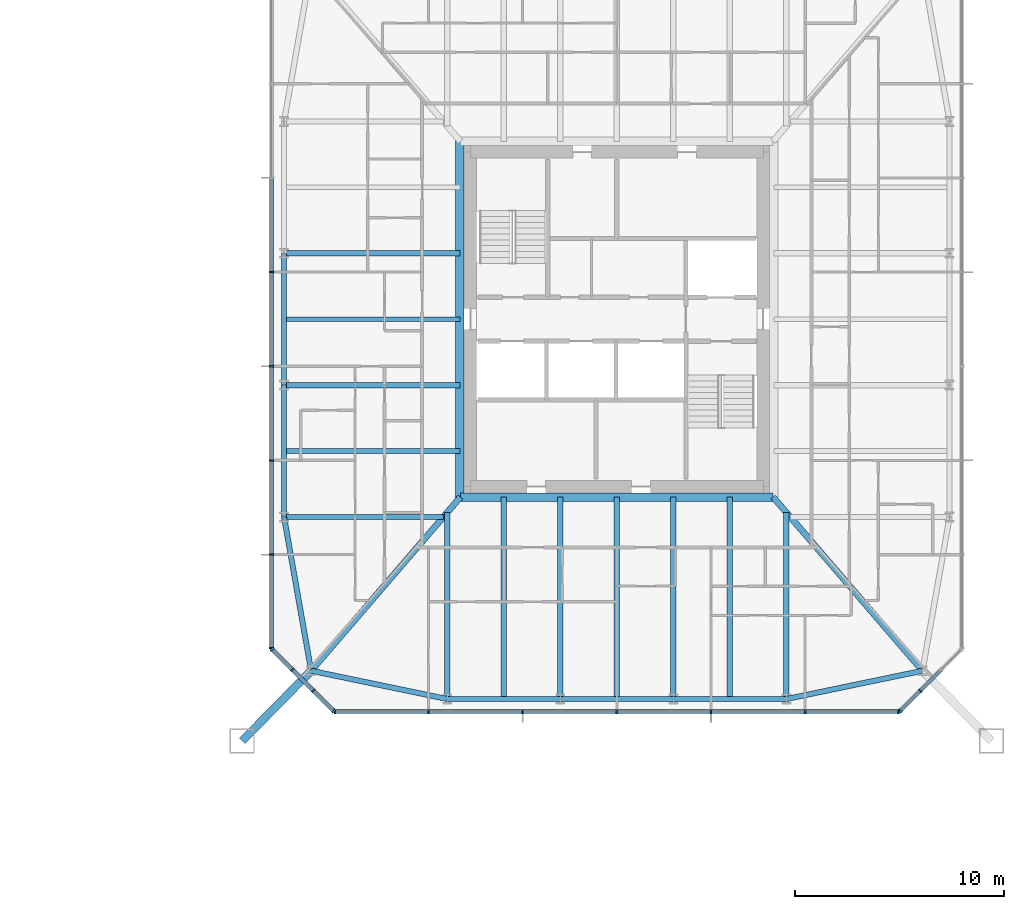
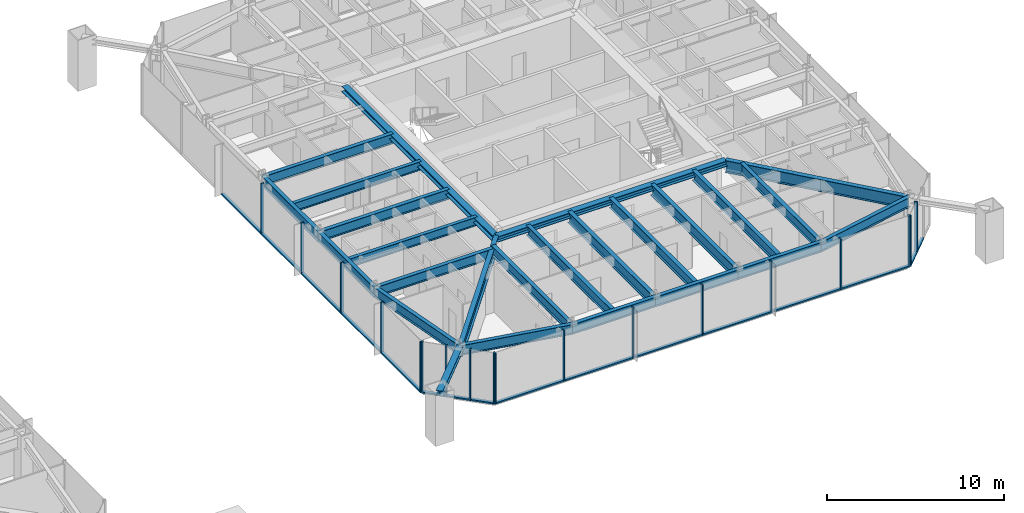
# One storey, part 8 of 26: 35 members, 24 beams, 4 elements without a shape of their own.
"""IFC4 building model written with IfcOpenShell, lengths in metres."""

import ifcopenshell
import ifcopenshell.guid

model = None  # the IFC model being written
_history = None  # IfcOwnerHistory: only IFC2X3 demands one
_inside = {}  # id of a spatial element -> (the spatial element, [elements in it])
_under = {}  # id of a project, library or spatial element -> (it, [spatial elements below it])
_declared = {}  # id of a project -> (the project, [libraries it declares])
_typed = {}  # id of a type object -> (the type object, [elements of that type])
_made_of = {}  # id of a material, layer set ... -> (it, [elements and type objects made of it])


def new_model(schema):
    """Start an empty IFC model of exactly this schema.

    Asked for "IFC4X3", IfcOpenShell would pick the latest addendum, in which some entities
    have other attributes; the version numbers below select the first issue.
    IFC2X3 requires an IfcOwnerHistory on every rooted entity: one is made here for all.
    """
    global model, _history
    if schema == "IFC4X3":
        model = ifcopenshell.file(schema_version=(4, 3, 0, 0))
    else:
        model = ifcopenshell.file(schema=schema)
    _inside.clear()
    _under.clear()
    _declared.clear()
    _typed.clear()
    _made_of.clear()
    _history = None
    if model.schema == "IFC2X3":
        org = make("IfcOrganization", Name="unknown")
        user = make(
            "IfcPersonAndOrganization",
            ThePerson=make("IfcPerson", FamilyName="unknown"),
            TheOrganization=org,
        )
        app = make(
            "IfcApplication",
            ApplicationDeveloper=org,
            Version="unknown",
            ApplicationFullName="unknown",
            ApplicationIdentifier="unknown",
        )
        _history = make(
            "IfcOwnerHistory",
            OwningUser=user,
            OwningApplication=app,
            ChangeAction="ADDED",
            CreationDate=0,
        )
    return model


def make(cls, **values):
    """One entity of the class cls with the attributes given. An attribute that is None is left unset."""
    return model.create_entity(
        cls, **{name: value for name, value in values.items() if value is not None}
    )


def rooted(cls, **values):
    """An entity with a GlobalId (a new one), such as an element, a storey or a relation."""
    return make(cls, GlobalId=ifcopenshell.guid.new(), OwnerHistory=_history, **values)


def si_unit(unit_type, name, prefix=None):
    """IfcSIUnit, for example si_unit("LENGTHUNIT", "METRE", prefix="MILLI")."""
    return make("IfcSIUnit", UnitType=unit_type, Prefix=prefix, Name=name)


def assignment(units):
    """IfcUnitAssignment: the units of a project."""
    return None if units is None else make("IfcUnitAssignment", Units=units)


def point(xyz):
    """IfcCartesianPoint."""
    return None if xyz is None else make("IfcCartesianPoint", Coordinates=xyz)


def direction(xyz):
    """IfcDirection."""
    return None if xyz is None else make("IfcDirection", DirectionRatios=xyz)


def frame(location, z_axis=None, x_axis=None):
    """IfcAxis2Placement3D, a coordinate frame: its origin and axes. An axis left out is left unset."""
    return make(
        "IfcAxis2Placement3D",
        Location=point(location),
        Axis=direction(z_axis),
        RefDirection=direction(x_axis),
    )


def frame_2d(location, x_axis=None):
    """IfcAxis2Placement2D, a coordinate frame in the plane: its origin and x axis."""
    return make(
        "IfcAxis2Placement2D", Location=point(location), RefDirection=direction(x_axis)
    )


def origin():
    """The frame at (0, 0, 0) with its axes left unset."""
    return frame((0.0, 0.0, 0.0))


def origin_2d():
    """The frame at (0, 0) in the plane with its x axis left unset."""
    return frame_2d((0.0, 0.0))


def place(relative_to, where):
    """IfcLocalPlacement: puts the frame where relative to a parent placement (None: the world)."""
    return make(
        "IfcLocalPlacement", PlacementRelTo=relative_to, RelativePlacement=where
    )


def context(
    kind, dimensions, precision=None, world=None, true_north=None, identifier=None
):
    """IfcGeometricRepresentationContext, for example the 3D "Model" context."""
    return make(
        "IfcGeometricRepresentationContext",
        ContextIdentifier=identifier,
        ContextType=kind,
        CoordinateSpaceDimension=dimensions,
        Precision=precision,
        WorldCoordinateSystem=world,
        TrueNorth=true_north,
    )


def subcontext(parent, identifier, kind, view, scale=None):
    """IfcGeometricRepresentationSubContext, for example "Body" below "Model"."""
    return make(
        "IfcGeometricRepresentationSubContext",
        ContextIdentifier=identifier,
        ContextType=kind,
        ParentContext=parent,
        TargetScale=scale,
        TargetView=view,
    )


def project(units=None, contexts=None):
    """IfcProject with its units and contexts."""
    return rooted(
        "IfcProject",
        Name="project",
        RepresentationContexts=contexts,
        UnitsInContext=assignment(units),
    )


def spatial(cls, under=None, at=None, **own):
    """A site, building, storey or space (cls), placed at a placement, below another one or the project."""
    s = rooted(cls, ObjectPlacement=at, **own)
    if under is not None:
        _under.setdefault(under.id(), (under, []))[1].append(s)
    return s


def profile(cls, at=None, kind="AREA", **sizes):
    """A parametric profile (cls). Its sizes go by their IFC names, for example OverallWidth=200.0."""
    return make(cls, ProfileType=kind, Position=at, **sizes)


def rectangle(**sizes):
    """IfcRectangleProfileDef."""
    return profile("IfcRectangleProfileDef", **sizes)


def i_section(**sizes):
    """IfcIShapeProfileDef."""
    return profile("IfcIShapeProfileDef", **sizes)


def extrude(swept, where, along, depth):
    """IfcExtrudedAreaSolid: the profile swept, set in the frame where, extruded along a direction by depth."""
    return make(
        "IfcExtrudedAreaSolid",
        SweptArea=swept,
        Position=where,
        ExtrudedDirection=direction(along),
        Depth=depth,
    )


def shape(context_of_items, identifier, shape_type, items):
    """IfcShapeRepresentation: the items that make up one representation, for example the "Body"."""
    return make(
        "IfcShapeRepresentation",
        ContextOfItems=context_of_items,
        RepresentationIdentifier=identifier,
        RepresentationType=shape_type,
        Items=items,
    )


def material(Name=None, Category=None):
    """IfcMaterial."""
    return make("IfcMaterial", Name=Name, Category=Category)


def material_profile(
    of_material, cross_section, Name=None, Category=None, Priority=None
):
    """IfcMaterialProfile: a cross section and its material."""
    return make(
        "IfcMaterialProfile",
        Name=Name,
        Material=of_material,
        Profile=cross_section,
        Priority=Priority,
        Category=Category,
    )


def profile_set(profiles, Name=None, composite=None):
    """IfcMaterialProfileSet."""
    return make(
        "IfcMaterialProfileSet",
        Name=Name,
        MaterialProfiles=profiles,
        CompositeProfile=composite,
    )


def made_of(thing, what):
    """Note that an element or type object is made of a material, layer set ...; save() writes the relation."""
    if what is not None:
        _made_of.setdefault(what.id(), (what, []))[1].append(thing)
    return thing


def type_object(cls, material=None, **own):
    """A type object (cls), such as IfcWallType, which elements share."""
    return made_of(rooted(cls, **own), material)


def element(
    cls,
    number,
    at=None,
    inside=None,
    cuts=None,
    type_object=None,
    material=None,
    context=None,
    identifier="Body",
    shape_type=None,
    held_by="IfcProductDefinitionShape",
    body=None,
    shapes=None,
    **own,
):
    """One element of the class cls, such as IfcWall. Its Tag is "e" and its number.

    at: its placement. inside: the storey or other place that contains it. cuts: it is an
    opening in that element (IfcRelVoidsElement). A single representation is given by context,
    identifier, shape_type and body (its items); several are given by shapes. held_by: the class
    of the entity that holds the representations. save() writes the other relations.
    """
    e = rooted(cls, Tag="e%d" % number, ObjectPlacement=at, **own)
    if body is not None:
        shapes = [shape(context, identifier, shape_type, body)]
    if shapes is not None:
        e.Representation = make(held_by, Representations=shapes)
    if inside is not None:
        _inside.setdefault(inside.id(), (inside, []))[1].append(e)
    if cuts is not None:
        rooted(
            "IfcRelVoidsElement", RelatingBuildingElement=cuts, RelatedOpeningElement=e
        )
    if type_object is not None:
        _typed.setdefault(type_object.id(), (type_object, []))[1].append(e)
    return made_of(e, material)


def aggregate(whole, parts):
    """IfcRelAggregates: a whole, such as a stair, and the parts it consists of."""
    return rooted("IfcRelAggregates", RelatingObject=whole, RelatedObjects=parts)


def save(model, path):
    """Write the relations noted so far, then the file.

    IfcRelAggregates (storeys below a building ...), IfcRelContainedInSpatialStructure (elements
    in a storey), IfcRelDefinesByType, IfcRelAssociatesMaterial and IfcRelDeclares: one each for
    every whole, place, type object, material and project.
    """
    for whole, parts in _under.values():
        aggregate(whole, parts)
    for where, things in _inside.values():
        rooted(
            "IfcRelContainedInSpatialStructure",
            RelatedElements=things,
            RelatingStructure=where,
        )
    for kind, things in _typed.values():
        rooted("IfcRelDefinesByType", RelatedObjects=things, RelatingType=kind)
    for what, things in _made_of.values():
        rooted("IfcRelAssociatesMaterial", RelatedObjects=things, RelatingMaterial=what)
    for by, libraries in _declared.values():
        rooted("IfcRelDeclares", RelatingContext=by, RelatedDefinitions=libraries)
    model.write(path)


model = new_model("IFC4")

# Units and contexts
model_context = context("Model", 3, precision=1e-05, world=origin(), true_north=direction((0.0, 1.0)))
body_context = subcontext(model_context, "Body", "Model", "MODEL_VIEW")
ifc_project = project(units=[si_unit("LENGTHUNIT", "METRE"), si_unit("AREAUNIT", "SQUARE_METRE"), si_unit("VOLUMEUNIT", "CUBIC_METRE"), si_unit("PLANEANGLEUNIT", "RADIAN"), si_unit("MASSUNIT", "GRAM", prefix="KILO")], contexts=[model_context])

# Site, building, storey
site_placement = place(None, origin())
site = spatial("IfcSite", under=ifc_project, at=site_placement, CompositionType="ELEMENT")
building_placement = place(site_placement, origin())
building = spatial("IfcBuilding", under=site, at=building_placement, Name="Iwan Alto Co-Living Towers", CompositionType="ELEMENT")
storey_placement = place(building_placement, frame((0.0, 0.0, 57.0)))
storey = spatial("IfcBuildingStorey", under=building, at=storey_placement, Name="L15", CompositionType="ELEMENT", Elevation=57.0)

# Curtain wall, members
ifc_material_1 = material(Name="Bronze aluminium unitised frame", Category="aluminium")
curtain_wall_type_1 = type_object("IfcCurtainWallType", Name="CURTAIN WALL CW-C", PredefinedType="NOTDEFINED", material=ifc_material_1)
curtain_wall_1_placement = place(storey_placement, origin())
curtain_wall_1 = element("IfcCurtainWall", 1, at=curtain_wall_1_placement, inside=storey, type_object=curtain_wall_type_1, Name="T2 curtain wall S L15", PredefinedType="NOTDEFINED")
ifc_material_2 = material(Name="Aluminium 6063-T6 bronze anodised", Category="aluminium")
ifc_material_profile_1 = material_profile(ifc_material_2, rectangle(XDim=0.199951171875, YDim=0.080078125, at=origin_2d()), Name="AL 80X200")
ifc_profile_set_1 = profile_set([ifc_material_profile_1], Name="Aluminium 6063-T6 bronze anodised")
member_type_1 = type_object("IfcMemberType", Name="CW-C MULLION 80X200", PredefinedType="MULLION", material=ifc_profile_set_1)
member_1_placement = place(storey_placement, frame((49.5400390625, -18.75, 0.0), z_axis=(0.0, 0.0, 1.0), x_axis=(0.0, 1.0, 0.0)))
member_1 = element("IfcMember", 2, at=member_1_placement, type_object=member_type_1, Name="CW-C mullion 1", PredefinedType="MULLION", context=body_context, shape_type="SweptSolid", body=[
    extrude(rectangle(XDim=0.199951171875, YDim=0.080078125, at=origin_2d()), origin(), (0.0, 0.0, 1.0), 3.5),
])
member_2_placement = place(storey_placement, frame((54.0, -18.75, 0.0), z_axis=(0.0, 0.0, 1.0), x_axis=(0.0, 1.0, 0.0)))
member_2 = element("IfcMember", 3, at=member_2_placement, type_object=member_type_1, Name="CW-C mullion 2", PredefinedType="MULLION", context=body_context, shape_type="SweptSolid", body=[
    extrude(rectangle(XDim=0.199951171875, YDim=0.080078125, at=origin_2d()), origin(), (0.0, 0.0, 1.0), 3.5),
])
member_3_placement = place(storey_placement, frame((58.5, -18.75, 0.0), z_axis=(0.0, 0.0, 1.0), x_axis=(0.0, 1.0, 0.0)))
member_3 = element("IfcMember", 4, at=member_3_placement, type_object=member_type_1, Name="CW-C mullion 3", PredefinedType="MULLION", context=body_context, shape_type="SweptSolid", body=[
    extrude(rectangle(XDim=0.199951171875, YDim=0.080078125, at=origin_2d()), origin(), (0.0, 0.0, 1.0), 3.5),
])
member_4_placement = place(storey_placement, frame((63.0, -18.75, 0.0), z_axis=(0.0, 0.0, 1.0), x_axis=(0.0, 1.0, 0.0)))
member_4 = element("IfcMember", 5, at=member_4_placement, type_object=member_type_1, Name="CW-C mullion 4", PredefinedType="MULLION", context=body_context, shape_type="SweptSolid", body=[
    extrude(rectangle(XDim=0.199951171875, YDim=0.080078125, at=origin_2d()), origin(), (0.0, 0.0, 1.0), 3.5),
])
member_5_placement = place(storey_placement, frame((67.5, -18.75, 0.0), z_axis=(0.0, 0.0, 1.0), x_axis=(0.0, 1.0, 0.0)))
member_5 = element("IfcMember", 6, at=member_5_placement, type_object=member_type_1, Name="CW-C mullion 5", PredefinedType="MULLION", context=body_context, shape_type="SweptSolid", body=[
    extrude(rectangle(XDim=0.199951171875, YDim=0.080078125, at=origin_2d()), origin(), (0.0, 0.0, 1.0), 3.5),
])
member_6_placement = place(storey_placement, frame((72.0, -18.75, 0.0), z_axis=(0.0, 0.0, 1.0), x_axis=(0.0, 1.0, 0.0)))
member_6 = element("IfcMember", 7, at=member_6_placement, type_object=member_type_1, Name="CW-C mullion 6", PredefinedType="MULLION", context=body_context, shape_type="SweptSolid", body=[
    extrude(rectangle(XDim=0.199951171875, YDim=0.080078125, at=origin_2d()), origin(), (0.0, 0.0, 1.0), 3.5),
])
member_7_placement = place(storey_placement, frame((76.4599609375, -18.75, 0.0), z_axis=(0.0, 0.0, 1.0), x_axis=(0.0, 1.0, 0.0)))
member_7 = element("IfcMember", 8, at=member_7_placement, type_object=member_type_1, Name="CW-C mullion 7", PredefinedType="MULLION", context=body_context, shape_type="SweptSolid", body=[
    extrude(rectangle(XDim=0.199951171875, YDim=0.080078125, at=origin_2d()), origin(), (0.0, 0.0, 1.0), 3.5),
])

curtain_wall_2_placement = place(storey_placement, origin())
curtain_wall_2 = element("IfcCurtainWall", 9, at=curtain_wall_2_placement, inside=storey, type_object=curtain_wall_type_1, Name="T2 curtain wall W L15", PredefinedType="NOTDEFINED")
member_8_placement = place(storey_placement, frame((46.5, 2.25, 0.0), z_axis=(0.0, 0.0, 1.0), x_axis=(1.0, 0.0, 0.0)))
member_8 = element("IfcMember", 10, at=member_8_placement, type_object=member_type_1, Name="CW-C mullion 4", PredefinedType="MULLION", context=body_context, shape_type="SweptSolid", body=[
    extrude(rectangle(XDim=0.199951171875, YDim=0.080078125, at=origin_2d()), origin(), (0.0, 0.0, 1.0), 3.5),
])
member_9_placement = place(storey_placement, frame((46.5, -2.25, 0.0), z_axis=(0.0, 0.0, 1.0), x_axis=(1.0, 0.0, 0.0)))
member_9 = element("IfcMember", 11, at=member_9_placement, type_object=member_type_1, Name="CW-C mullion 5", PredefinedType="MULLION", context=body_context, shape_type="SweptSolid", body=[
    extrude(rectangle(XDim=0.199951171875, YDim=0.080078125, at=origin_2d()), origin(), (0.0, 0.0, 1.0), 3.5),
])
member_10_placement = place(storey_placement, frame((46.5, -6.75, 0.0), z_axis=(0.0, 0.0, 1.0), x_axis=(1.0, 0.0, 0.0)))
member_10 = element("IfcMember", 12, at=member_10_placement, type_object=member_type_1, Name="CW-C mullion 6", PredefinedType="MULLION", context=body_context, shape_type="SweptSolid", body=[
    extrude(rectangle(XDim=0.199951171875, YDim=0.080078125, at=origin_2d()), origin(), (0.0, 0.0, 1.0), 3.5),
])
member_11_placement = place(storey_placement, frame((46.5, -11.25, 0.0), z_axis=(0.0, 0.0, 1.0), x_axis=(1.0, 0.0, 0.0)))
member_11 = element("IfcMember", 13, at=member_11_placement, type_object=member_type_1, Name="CW-C mullion 7", PredefinedType="MULLION", context=body_context, shape_type="SweptSolid", body=[
    extrude(rectangle(XDim=0.199951171875, YDim=0.080078125, at=origin_2d()), origin(), (0.0, 0.0, 1.0), 3.5),
])
member_12_placement = place(storey_placement, frame((46.5, -15.7099609375, 0.0), z_axis=(0.0, 0.0, 1.0), x_axis=(1.0, 0.0, 0.0)))
member_12 = element("IfcMember", 14, at=member_12_placement, type_object=member_type_1, Name="CW-C mullion 8", PredefinedType="MULLION", context=body_context, shape_type="SweptSolid", body=[
    extrude(rectangle(XDim=0.199951171875, YDim=0.080078125, at=origin_2d()), origin(), (0.0, 0.0, 1.0), 3.5),
])

# Member
ifc_material_3 = material(Name="Aluminium 6063-T6 bronze anodised", Category="aluminium")
ifc_material_profile_2 = material_profile(ifc_material_3, rectangle(XDim=0.199951171875, YDim=0.10009765625, at=origin_2d()), Name="AL 200X100")
ifc_profile_set_2 = profile_set([ifc_material_profile_2], Name="Aluminium 6063-T6 bronze anodised")
member_type_2 = type_object("IfcMemberType", Name="CW-C TRANSOM 200X100", PredefinedType="USERDEFINED", material=ifc_profile_set_2)
member_13_placement = place(storey_placement, frame((49.580078125, -18.75, 0.050048828125), z_axis=(1.0, 0.0, 0.0), x_axis=(0.0, 1.0, 0.0)))
member_13 = element("IfcMember", 15, at=member_13_placement, type_object=member_type_2, Name="CW-C transom 1.1", ObjectType="TRANSOM", PredefinedType="USERDEFINED", context=body_context, shape_type="SweptSolid", body=[
    extrude(rectangle(XDim=0.199951171875, YDim=0.10009765625, at=origin_2d()), origin(), (0.0, 0.0, 1.0), 4.3798828125),
])

member_14_placement = place(storey_placement, frame((54.0400390625, -18.75, 0.050048828125), z_axis=(1.0, 0.0, 0.0), x_axis=(0.0, 1.0, 0.0)))
member_14 = element("IfcMember", 16, at=member_14_placement, type_object=member_type_2, Name="CW-C transom 2.1", ObjectType="TRANSOM", PredefinedType="USERDEFINED", context=body_context, shape_type="SweptSolid", body=[
    extrude(rectangle(XDim=0.199951171875, YDim=0.10009765625, at=origin_2d()), origin(), (0.0, 0.0, 1.0), 4.419921875),
])

member_15_placement = place(storey_placement, frame((58.5400390625, -18.75, 0.050048828125), z_axis=(1.0, 0.0, 0.0), x_axis=(0.0, 1.0, 0.0)))
member_15 = element("IfcMember", 17, at=member_15_placement, type_object=member_type_2, Name="CW-C transom 3.1", ObjectType="TRANSOM", PredefinedType="USERDEFINED", context=body_context, shape_type="SweptSolid", body=[
    extrude(rectangle(XDim=0.199951171875, YDim=0.10009765625, at=origin_2d()), origin(), (0.0, 0.0, 1.0), 4.419921875),
])

member_16_placement = place(storey_placement, frame((63.0400390625, -18.75, 0.050048828125), z_axis=(1.0, 0.0, 0.0), x_axis=(0.0, 1.0, 0.0)))
member_16 = element("IfcMember", 18, at=member_16_placement, type_object=member_type_2, Name="CW-C transom 4.1", ObjectType="TRANSOM", PredefinedType="USERDEFINED", context=body_context, shape_type="SweptSolid", body=[
    extrude(rectangle(XDim=0.199951171875, YDim=0.10009765625, at=origin_2d()), origin(), (0.0, 0.0, 1.0), 4.419921875),
])

member_17_placement = place(storey_placement, frame((67.5400390625, -18.75, 0.050048828125), z_axis=(1.0, 0.0, 0.0), x_axis=(0.0, 1.0, 0.0)))
member_17 = element("IfcMember", 19, at=member_17_placement, type_object=member_type_2, Name="CW-C transom 5.1", ObjectType="TRANSOM", PredefinedType="USERDEFINED", context=body_context, shape_type="SweptSolid", body=[
    extrude(rectangle(XDim=0.199951171875, YDim=0.10009765625, at=origin_2d()), origin(), (0.0, 0.0, 1.0), 4.419921875),
])

member_18_placement = place(storey_placement, frame((72.0400390625, -18.75, 0.050048828125), z_axis=(1.0, 0.0, 0.0), x_axis=(0.0, 1.0, 0.0)))
member_18 = element("IfcMember", 20, at=member_18_placement, type_object=member_type_2, Name="CW-C transom 6.1", ObjectType="TRANSOM", PredefinedType="USERDEFINED", context=body_context, shape_type="SweptSolid", body=[
    extrude(rectangle(XDim=0.199951171875, YDim=0.10009765625, at=origin_2d()), origin(), (0.0, 0.0, 1.0), 4.3798828125),
])

aggregate(curtain_wall_1, [member_1, member_2, member_3, member_4, member_5, member_6, member_7, member_13, member_14, member_15, member_16, member_17, member_18])

member_19_placement = place(storey_placement, frame((46.5, 6.7099609375, 0.050048828125), z_axis=(0.0, -1.0, 0.0), x_axis=(1.0, 0.0, 0.0)))
member_19 = element("IfcMember", 21, at=member_19_placement, type_object=member_type_2, Name="CW-C transom 3.1", ObjectType="TRANSOM", PredefinedType="USERDEFINED", context=body_context, shape_type="SweptSolid", body=[
    extrude(rectangle(XDim=0.199951171875, YDim=0.10009765625, at=origin_2d()), origin(), (0.0, 0.0, 1.0), 4.419921875),
])

member_20_placement = place(storey_placement, frame((46.5, 2.2099609375, 0.050048828125), z_axis=(0.0, -1.0, 0.0), x_axis=(1.0, 0.0, 0.0)))
member_20 = element("IfcMember", 22, at=member_20_placement, type_object=member_type_2, Name="CW-C transom 4.1", ObjectType="TRANSOM", PredefinedType="USERDEFINED", context=body_context, shape_type="SweptSolid", body=[
    extrude(rectangle(XDim=0.199951171875, YDim=0.10009765625, at=origin_2d()), origin(), (0.0, 0.0, 1.0), 4.419921875),
])

member_21_placement = place(storey_placement, frame((46.5, -2.2900390625, 0.050048828125), z_axis=(0.0, -1.0, 0.0), x_axis=(1.0, 0.0, 0.0)))
member_21 = element("IfcMember", 23, at=member_21_placement, type_object=member_type_2, Name="CW-C transom 5.1", ObjectType="TRANSOM", PredefinedType="USERDEFINED", context=body_context, shape_type="SweptSolid", body=[
    extrude(rectangle(XDim=0.199951171875, YDim=0.10009765625, at=origin_2d()), origin(), (0.0, 0.0, 1.0), 4.419921875),
])

member_22_placement = place(storey_placement, frame((46.5, -6.7900390625, 0.050048828125), z_axis=(0.0, -1.0, 0.0), x_axis=(1.0, 0.0, 0.0)))
member_22 = element("IfcMember", 24, at=member_22_placement, type_object=member_type_2, Name="CW-C transom 6.1", ObjectType="TRANSOM", PredefinedType="USERDEFINED", context=body_context, shape_type="SweptSolid", body=[
    extrude(rectangle(XDim=0.199951171875, YDim=0.10009765625, at=origin_2d()), origin(), (0.0, 0.0, 1.0), 4.419921875),
])

member_23_placement = place(storey_placement, frame((46.5, -11.2900390625, 0.050048828125), z_axis=(0.0, -1.0, 0.0), x_axis=(1.0, 0.0, 0.0)))
member_23 = element("IfcMember", 25, at=member_23_placement, type_object=member_type_2, Name="CW-C transom 7.1", ObjectType="TRANSOM", PredefinedType="USERDEFINED", context=body_context, shape_type="SweptSolid", body=[
    extrude(rectangle(XDim=0.199951171875, YDim=0.10009765625, at=origin_2d()), origin(), (0.0, 0.0, 1.0), 4.3798828125),
])

aggregate(curtain_wall_2, [member_8, member_9, member_10, member_11, member_12, member_19, member_20, member_21, member_22, member_23])

# Curtain wall, members
ifc_material_4 = material(Name="Bronze aluminium unitised frame", Category="aluminium")
curtain_wall_type_2 = type_object("IfcCurtainWallType", Name="CURTAIN WALL CW-D", PredefinedType="NOTDEFINED", material=ifc_material_4)
curtain_wall_3_placement = place(storey_placement, origin())
curtain_wall_3 = element("IfcCurtainWall", 26, at=curtain_wall_3_placement, inside=storey, type_object=curtain_wall_type_2, Name="T2 chamfer curtain wall SE L15", PredefinedType="NOTDEFINED")
ifc_material_5 = material(Name="Aluminium 6063-T6 bronze anodised", Category="aluminium")
ifc_material_profile_3 = material_profile(ifc_material_5, rectangle(XDim=0.199951171875, YDim=0.080078125, at=origin_2d()), Name="AL 80X200")
ifc_profile_set_3 = profile_set([ifc_material_profile_3], Name="Aluminium 6063-T6 bronze anodised")
member_type_3 = type_object("IfcMemberType", Name="CW-D MULLION 80X200", PredefinedType="MULLION", material=ifc_profile_set_3)
member_24_placement = place(storey_placement, frame((76.5283203125, -18.7216796875, 0.0), z_axis=(0.0, 0.0, 1.0), x_axis=(-0.707106781187, 0.707106781187, 0.0)))
member_24 = element("IfcMember", 27, at=member_24_placement, type_object=member_type_3, Name="CW-D mullion 1", PredefinedType="MULLION", context=body_context, shape_type="SweptSolid", body=[
    extrude(rectangle(XDim=0.199951171875, YDim=0.080078125, at=origin_2d()), origin(), (0.0, 0.0, 1.0), 3.5),
])
member_25_placement = place(storey_placement, frame((77.5, -17.75, 0.0), z_axis=(0.0, 0.0, 1.0), x_axis=(-0.707106781187, 0.707106781187, 0.0)))
member_25 = element("IfcMember", 28, at=member_25_placement, type_object=member_type_3, Name="CW-D mullion 2", PredefinedType="MULLION", context=body_context, shape_type="SweptSolid", body=[
    extrude(rectangle(XDim=0.199951171875, YDim=0.080078125, at=origin_2d()), origin(), (0.0, 0.0, 1.0), 3.5),
])

curtain_wall_4_placement = place(storey_placement, origin())
curtain_wall_4 = element("IfcCurtainWall", 29, at=curtain_wall_4_placement, inside=storey, type_object=curtain_wall_type_2, Name="T2 chamfer curtain wall SW L15", PredefinedType="NOTDEFINED")
member_26_placement = place(storey_placement, frame((46.5283203125, -15.7783203125, 0.0), z_axis=(0.0, 0.0, 1.0), x_axis=(0.707106781187, 0.707106781187, 0.0)))
member_26 = element("IfcMember", 30, at=member_26_placement, type_object=member_type_3, Name="CW-D mullion 1", PredefinedType="MULLION", context=body_context, shape_type="SweptSolid", body=[
    extrude(rectangle(XDim=0.199951171875, YDim=0.080078125, at=origin_2d()), origin(), (0.0, 0.0, 1.0), 3.5),
])
member_27_placement = place(storey_placement, frame((47.5, -16.75, 0.0), z_axis=(0.0, 0.0, 1.0), x_axis=(0.707106781187, 0.707106781187, 0.0)))
member_27 = element("IfcMember", 31, at=member_27_placement, type_object=member_type_3, Name="CW-D mullion 2", PredefinedType="MULLION", context=body_context, shape_type="SweptSolid", body=[
    extrude(rectangle(XDim=0.199951171875, YDim=0.080078125, at=origin_2d()), origin(), (0.0, 0.0, 1.0), 3.5),
])
member_28_placement = place(storey_placement, frame((48.5, -17.75, 0.0), z_axis=(0.0, 0.0, 1.0), x_axis=(0.707106781187, 0.707106781187, 0.0)))
member_28 = element("IfcMember", 32, at=member_28_placement, type_object=member_type_3, Name="CW-D mullion 3", PredefinedType="MULLION", context=body_context, shape_type="SweptSolid", body=[
    extrude(rectangle(XDim=0.199951171875, YDim=0.080078125, at=origin_2d()), origin(), (0.0, 0.0, 1.0), 3.5),
])
member_29_placement = place(storey_placement, frame((49.4716796875, -18.7216796875, 0.0), z_axis=(0.0, 0.0, 1.0), x_axis=(0.707106781187, 0.707106781187, 0.0)))
member_29 = element("IfcMember", 33, at=member_29_placement, type_object=member_type_3, Name="CW-D mullion 4", PredefinedType="MULLION", context=body_context, shape_type="SweptSolid", body=[
    extrude(rectangle(XDim=0.199951171875, YDim=0.080078125, at=origin_2d()), origin(), (0.0, 0.0, 1.0), 3.5),
])

# Member
ifc_material_6 = material(Name="Aluminium 6063-T6 bronze anodised", Category="aluminium")
ifc_material_profile_4 = material_profile(ifc_material_6, rectangle(XDim=0.199951171875, YDim=0.10009765625, at=origin_2d()), Name="AL 200X100")
ifc_profile_set_4 = profile_set([ifc_material_profile_4], Name="Aluminium 6063-T6 bronze anodised")
member_type_4 = type_object("IfcMemberType", Name="CW-D TRANSOM 200X100", PredefinedType="USERDEFINED", material=ifc_profile_set_4)
member_30_placement = place(storey_placement, frame((76.556640625, -18.693359375, 0.050048828125), z_axis=(0.707106781187, 0.707106781187, 0.0), x_axis=(-0.707106781187, 0.707106781187, 0.0)))
member_30 = element("IfcMember", 34, at=member_30_placement, type_object=member_type_4, Name="CW-D transom 1.1", ObjectType="TRANSOM", PredefinedType="USERDEFINED", context=body_context, shape_type="SweptSolid", body=[
    extrude(rectangle(XDim=0.199951171875, YDim=0.10009765625, at=origin_2d()), origin(), (0.0, 0.0, 1.0), 1.2939453125),
])

member_31_placement = place(storey_placement, frame((77.5283203125, -17.7216796875, 0.050048828125), z_axis=(0.707106781187, 0.707106781187, 0.0), x_axis=(-0.707106781187, 0.707106781187, 0.0)))
member_31 = element("IfcMember", 35, at=member_31_placement, type_object=member_type_4, Name="CW-D transom 2.1", ObjectType="TRANSOM", PredefinedType="USERDEFINED", context=body_context, shape_type="SweptSolid", body=[
    extrude(rectangle(XDim=0.199951171875, YDim=0.10009765625, at=origin_2d()), origin(), (0.0, 0.0, 1.0), 1.334228515625),
])

aggregate(curtain_wall_3, [member_24, member_25, member_30, member_31])

member_32_placement = place(storey_placement, frame((46.556640625, -15.806640625, 0.050048828125), z_axis=(0.707106781187, -0.707106781187, 0.0), x_axis=(0.707106781187, 0.707106781187, 0.0)))
member_32 = element("IfcMember", 36, at=member_32_placement, type_object=member_type_4, Name="CW-D transom 1.1", ObjectType="TRANSOM", PredefinedType="USERDEFINED", context=body_context, shape_type="SweptSolid", body=[
    extrude(rectangle(XDim=0.199951171875, YDim=0.10009765625, at=origin_2d()), origin(), (0.0, 0.0, 1.0), 1.2939453125),
])

member_33_placement = place(storey_placement, frame((47.5283203125, -16.7783203125, 0.050048828125), z_axis=(0.707106781187, -0.707106781187, 0.0), x_axis=(0.707106781187, 0.707106781187, 0.0)))
member_33 = element("IfcMember", 37, at=member_33_placement, type_object=member_type_4, Name="CW-D transom 2.1", ObjectType="TRANSOM", PredefinedType="USERDEFINED", context=body_context, shape_type="SweptSolid", body=[
    extrude(rectangle(XDim=0.199951171875, YDim=0.10009765625, at=origin_2d()), origin(), (0.0, 0.0, 1.0), 1.334228515625),
])

member_34_placement = place(storey_placement, frame((48.5283203125, -17.7783203125, 0.050048828125), z_axis=(0.707106781187, -0.707106781187, 0.0), x_axis=(0.707106781187, 0.707106781187, 0.0)))
member_34 = element("IfcMember", 38, at=member_34_placement, type_object=member_type_4, Name="CW-D transom 3.1", ObjectType="TRANSOM", PredefinedType="USERDEFINED", context=body_context, shape_type="SweptSolid", body=[
    extrude(rectangle(XDim=0.199951171875, YDim=0.10009765625, at=origin_2d()), origin(), (0.0, 0.0, 1.0), 1.2939453125),
])

aggregate(curtain_wall_4, [member_26, member_27, member_28, member_29, member_32, member_33, member_34])

# Beams
ifc_material_7 = material(Name="Steel ASTM A992 Gr 50", Category="steel")
ifc_material_profile_5 = material_profile(ifc_material_7, i_section(OverallWidth=0.398681640625, OverallDepth=0.385986328125, WebThickness=0.02099609375, FlangeThickness=0.033203125, at=origin_2d()), Name="W14X176")
ifc_profile_set_5 = profile_set([ifc_material_profile_5], Name="Steel ASTM A992 Gr 50")
beam_type_1 = type_object("IfcBeamType", Name="T2 CORE LEDGER BEAM W14X176", PredefinedType="BEAM", material=ifc_profile_set_5)
beam_1_placement = place(storey_placement, frame((55.528564453125, -8.49951171875, 3.076904296875), z_axis=(1.0, 0.0, 0.0), x_axis=(0.0, 1.0, 0.0)))
element("IfcBeam", 39, at=beam_1_placement, inside=storey, type_object=beam_type_1, Name="T2 core ledger beam S L16", PredefinedType="BEAM", context=body_context, shape_type="SweptSolid", body=[
    extrude(i_section(OverallWidth=0.398681640625, OverallDepth=0.385986328125, WebThickness=0.02099609375, FlangeThickness=0.033203125, at=origin_2d()), origin(), (0.0, 0.0, 1.0), 14.94287109375),
])
beam_2_placement = place(storey_placement, frame((55.50048828125, 8.531982421875, 3.076904296875), z_axis=(0.0, -1.0, 0.0), x_axis=(1.0, 0.0, 0.0)))
element("IfcBeam", 40, at=beam_2_placement, inside=storey, type_object=beam_type_1, Name="T2 core ledger beam W L16", PredefinedType="BEAM", context=body_context, shape_type="SweptSolid", body=[
    extrude(i_section(OverallWidth=0.398681640625, OverallDepth=0.385986328125, WebThickness=0.02099609375, FlangeThickness=0.033203125, at=origin_2d()), origin(), (0.0, 0.0, 1.0), 17.06396484375),
])
ifc_material_8 = material(Name="Steel ASTM A992 Gr 50", Category="steel")
ifc_material_profile_6 = material_profile(ifc_material_8, i_section(OverallWidth=0.2919921875, OverallDepth=0.8408203125, WebThickness=0.0146484375, FlangeThickness=0.021728515625, at=origin_2d()), Name="W33X130")
ifc_profile_set_6 = profile_set([ifc_material_profile_6], Name="Steel ASTM A992 Gr 50")
beam_type_2 = type_object("IfcBeamType", Name="T2 CORNER GIRDER W33X130", PredefinedType="BEAM", material=ifc_profile_set_6)
for number, where, z_axis, x_axis, name in (
    (41, (48.393798828125, -16.797119140625, 2.849609375), (0.651977452133, 0.758238354286, 0.0), (-0.758238354286, 0.651977452133, 0.0), "T2 corner girder CSW L16"),
    (42, (77.606201171875, -16.797119140625, 2.849609375), (-0.651977452133, 0.758238354286, 0.0), (-0.758238354286, -0.651977452133, 0.0), "T2 corner girder CSE L16"),
):
    element("IfcBeam", number, at=place(storey_placement, frame(where, z_axis=z_axis, x_axis=x_axis)), inside=storey, type_object=beam_type_2, Name=name, PredefinedType="BEAM", context=body_context, shape_type="SweptSolid", body=[
        extrude(i_section(OverallWidth=0.2919921875, OverallDepth=0.8408203125, WebThickness=0.0146484375, FlangeThickness=0.021728515625, at=origin_2d()), origin(), (0.0, 0.0, 1.0), 10.943359375),
    ])
ifc_material_9 = material(Name="Steel ASTM A992 Gr 50", Category="steel")
ifc_material_profile_7 = material_profile(ifc_material_9, i_section(OverallWidth=0.25390625, OverallDepth=0.683349609375, WebThickness=0.012451171875, FlangeThickness=0.018798828125, at=origin_2d()), Name="W27X94")
ifc_profile_set_7 = profile_set([ifc_material_profile_7], Name="Steel ASTM A992 Gr 50")
beam_type_3 = type_object("IfcBeamType", Name="T2 EDGE BEAM W27X94", PredefinedType="BEAM", material=ifc_profile_set_7)
beam_3_placement = place(storey_placement, frame((48.393798828125, -16.797119140625, 2.928466796875), z_axis=(0.979060119423, -0.203571320564, 0.0), x_axis=(0.203571320564, 0.979060119423, 0.0)))
element("IfcBeam", 43, at=beam_3_placement, inside=storey, type_object=beam_type_3, Name="T2 edge beam CSW L16", PredefinedType="BEAM", context=body_context, shape_type="SweptSolid", body=[
    extrude(i_section(OverallWidth=0.25390625, OverallDepth=0.683349609375, WebThickness=0.012451171875, FlangeThickness=0.018798828125, at=origin_2d()), origin(), (0.0, 0.0, 1.0), 6.645263671875),
])
beam_4_placement = place(storey_placement, frame((54.89990234375, -18.14990234375, 2.928466796875), z_axis=(1.0, 0.0, 0.0), x_axis=(0.0, 1.0, 0.0)))
element("IfcBeam", 44, at=beam_4_placement, inside=storey, type_object=beam_type_3, Name="T2 edge beam S1 L16", PredefinedType="BEAM", context=body_context, shape_type="SweptSolid", body=[
    extrude(i_section(OverallWidth=0.25390625, OverallDepth=0.683349609375, WebThickness=0.012451171875, FlangeThickness=0.018798828125, at=origin_2d()), origin(), (0.0, 0.0, 1.0), 5.400146484375),
])
beam_5_placement = place(storey_placement, frame((60.300048828125, -18.14990234375, 2.928466796875), z_axis=(1.0, 0.0, 0.0), x_axis=(0.0, 1.0, 0.0)))
element("IfcBeam", 45, at=beam_5_placement, inside=storey, type_object=beam_type_3, Name="T2 edge beam S2 L16", PredefinedType="BEAM", context=body_context, shape_type="SweptSolid", body=[
    extrude(i_section(OverallWidth=0.25390625, OverallDepth=0.683349609375, WebThickness=0.012451171875, FlangeThickness=0.018798828125, at=origin_2d()), origin(), (0.0, 0.0, 1.0), 5.39990234375),
])
beam_6_placement = place(storey_placement, frame((65.699951171875, -18.14990234375, 2.928466796875), z_axis=(1.0, 0.0, 0.0), x_axis=(0.0, 1.0, 0.0)))
element("IfcBeam", 46, at=beam_6_placement, inside=storey, type_object=beam_type_3, Name="T2 edge beam S3 L16", PredefinedType="BEAM", context=body_context, shape_type="SweptSolid", body=[
    extrude(i_section(OverallWidth=0.25390625, OverallDepth=0.683349609375, WebThickness=0.012451171875, FlangeThickness=0.018798828125, at=origin_2d()), origin(), (0.0, 0.0, 1.0), 5.400146484375),
])
beam_7_placement = place(storey_placement, frame((71.10009765625, -18.14990234375, 2.928466796875), z_axis=(0.979060119423, 0.203571320564, 0.0), x_axis=(-0.203571320564, 0.979060119423, 0.0)))
element("IfcBeam", 47, at=beam_7_placement, inside=storey, type_object=beam_type_3, Name="T2 edge beam S4 L16", PredefinedType="BEAM", context=body_context, shape_type="SweptSolid", body=[
    extrude(i_section(OverallWidth=0.25390625, OverallDepth=0.683349609375, WebThickness=0.012451171875, FlangeThickness=0.018798828125, at=origin_2d()), origin(), (0.0, 0.0, 1.0), 6.645263671875),
])
beam_8_placement = place(storey_placement, frame((47.10009765625, 3.14990234375, 2.928466796875), z_axis=(0.0, -1.0, 0.0), x_axis=(1.0, 0.0, 0.0)))
element("IfcBeam", 48, at=beam_8_placement, inside=storey, type_object=beam_type_3, Name="T2 edge beam W2 L16", PredefinedType="BEAM", context=body_context, shape_type="SweptSolid", body=[
    extrude(i_section(OverallWidth=0.25390625, OverallDepth=0.683349609375, WebThickness=0.012451171875, FlangeThickness=0.018798828125, at=origin_2d()), origin(), (0.0, 0.0, 1.0), 6.2998046875),
])
beam_9_placement = place(storey_placement, frame((47.10009765625, -3.14990234375, 2.928466796875), z_axis=(0.0, -1.0, 0.0), x_axis=(1.0, 0.0, 0.0)))
element("IfcBeam", 49, at=beam_9_placement, inside=storey, type_object=beam_type_3, Name="T2 edge beam W3 L16", PredefinedType="BEAM", context=body_context, shape_type="SweptSolid", body=[
    extrude(i_section(OverallWidth=0.25390625, OverallDepth=0.683349609375, WebThickness=0.012451171875, FlangeThickness=0.018798828125, at=origin_2d()), origin(), (0.0, 0.0, 1.0), 6.300048828125),
])
beam_10_placement = place(storey_placement, frame((47.10009765625, -9.449951171875, 2.928466796875), z_axis=(0.173413807283, -0.98484905008, 0.0), x_axis=(0.98484905008, 0.173413807283, 0.0)))
element("IfcBeam", 50, at=beam_10_placement, inside=storey, type_object=beam_type_3, Name="T2 edge beam W4 L16", PredefinedType="BEAM", context=body_context, shape_type="SweptSolid", body=[
    extrude(i_section(OverallWidth=0.25390625, OverallDepth=0.683349609375, WebThickness=0.012451171875, FlangeThickness=0.018798828125, at=origin_2d()), origin(), (0.0, 0.0, 1.0), 7.460205078125),
])

# Member
ifc_material_10 = material(Name="Steel ASTM A992 Gr 50", Category="steel")
ifc_material_profile_8 = material_profile(ifc_material_10, i_section(OverallWidth=0.393798828125, OverallDepth=0.3759765625, WebThickness=0.017333984375, FlangeThickness=0.027587890625, at=origin_2d()), Name="W14X145")
ifc_profile_set_8 = profile_set([ifc_material_profile_8], Name="Steel ASTM A992 Gr 50")
member_type_5 = type_object("IfcMemberType", Name="T2 MEGA COLUMN FLOOR TIE W14X145", PredefinedType="STRUT", material=ifc_profile_set_8)
member_35_placement = place(storey_placement, frame((45.10009765625, -20.14990234375, 3.08203125), z_axis=(0.700793469544, 0.71336422187, 0.0), x_axis=(-0.71336422187, 0.700793469544, 0.0)))
element("IfcMember", 51, at=member_35_placement, inside=storey, type_object=member_type_5, Name="T2 mega column floor tie SW L16", PredefinedType="STRUT", context=body_context, shape_type="SweptSolid", body=[
    extrude(i_section(OverallWidth=0.393798828125, OverallDepth=0.3759765625, WebThickness=0.017333984375, FlangeThickness=0.027587890625, at=origin_2d()), origin(), (0.0, 0.0, 1.0), 4.699951171875),
])

# Beams
ifc_material_11 = material(Name="Steel ASTM A992 Gr 50", Category="steel")
ifc_material_profile_9 = material_profile(ifc_material_11, i_section(OverallWidth=0.25390625, OverallDepth=0.683349609375, WebThickness=0.012451171875, FlangeThickness=0.018798828125, at=origin_2d()), Name="W27X94")
ifc_profile_set_9 = profile_set([ifc_material_profile_9], Name="Steel ASTM A992 Gr 50")
beam_type_4 = type_object("IfcBeamType", Name="T2 RADIAL BEAM W27X94", PredefinedType="BEAM", material=ifc_profile_set_9)
for number, where, z_axis, x_axis, name in (
    (52, (54.89990234375, -18.14990234375, 2.928466796875), (0.0, 1.0, 0.0), (-1.0, 0.0, 0.0), "T2 radial beam S1 L16"),
    (53, (71.10009765625, -18.14990234375, 2.928466796875), (0.0, 1.0, 0.0), (-1.0, 0.0, 0.0), "T2 radial beam S4 L16"),
):
    element("IfcBeam", number, at=place(storey_placement, frame(where, z_axis=z_axis, x_axis=x_axis)), inside=storey, type_object=beam_type_4, Name=name, PredefinedType="BEAM", context=body_context, shape_type="SweptSolid", body=[
        extrude(i_section(OverallWidth=0.25390625, OverallDepth=0.683349609375, WebThickness=0.012451171875, FlangeThickness=0.018798828125, at=origin_2d()), origin(), (0.0, 0.0, 1.0), 8.91943359375),
    ])
for number, where, z_axis, x_axis, name in (
    (54, (47.10009765625, 3.14990234375, 2.928466796875), (1.0, 0.0, 0.0), (0.0, 1.0, 0.0), "T2 radial beam W2 L16"),
    (55, (47.10009765625, -3.14990234375, 2.928466796875), (1.0, 0.0, 0.0), (0.0, 1.0, 0.0), "T2 radial beam W3 L16"),
):
    element("IfcBeam", number, at=place(storey_placement, frame(where, z_axis=z_axis, x_axis=x_axis)), inside=storey, type_object=beam_type_4, Name=name, PredefinedType="BEAM", context=body_context, shape_type="SweptSolid", body=[
        extrude(i_section(OverallWidth=0.25390625, OverallDepth=0.683349609375, WebThickness=0.012451171875, FlangeThickness=0.018798828125, at=origin_2d()), origin(), (0.0, 0.0, 1.0), 8.400390625),
    ])
beam_11_placement = place(storey_placement, frame((47.10009765625, -9.449951171875, 2.928466796875), z_axis=(1.0, 0.0, 0.0), x_axis=(0.0, 1.0, 0.0)))
element("IfcBeam", 56, at=beam_11_placement, inside=storey, type_object=beam_type_4, Name="T2 radial beam W4 L16", PredefinedType="BEAM", context=body_context, shape_type="SweptSolid", body=[
    extrude(i_section(OverallWidth=0.25390625, OverallDepth=0.683349609375, WebThickness=0.012451171875, FlangeThickness=0.018798828125, at=origin_2d()), origin(), (0.0, 0.0, 1.0), 7.611083984375),
])
ifc_material_12 = material(Name="Steel ASTM A992 Gr 50", Category="steel")
ifc_material_profile_10 = material_profile(ifc_material_12, i_section(OverallWidth=0.2666015625, OverallDepth=0.761962890625, WebThickness=0.014404296875, FlangeThickness=0.021484375, at=origin_2d()), Name="W30X116")
ifc_profile_set_10 = profile_set([ifc_material_profile_10], Name="Steel ASTM A992 Gr 50")
beam_type_5 = type_object("IfcBeamType", Name="T2 RADIAL BEAM W30X116", PredefinedType="BEAM", material=ifc_profile_set_10)
for number, where, z_axis, x_axis, name in (
    (57, (60.300048828125, -18.14990234375, 2.888916015625), (0.0, 1.0, 0.0), (-1.0, 0.0, 0.0), "T2 radial beam S2 L16"),
    (58, (65.699951171875, -18.14990234375, 2.888916015625), (0.0, 1.0, 0.0), (-1.0, 0.0, 0.0), "T2 radial beam S3 L16"),
):
    element("IfcBeam", number, at=place(storey_placement, frame(where, z_axis=z_axis, x_axis=x_axis)), inside=storey, type_object=beam_type_5, Name=name, PredefinedType="BEAM", context=body_context, shape_type="SweptSolid", body=[
        extrude(i_section(OverallWidth=0.2666015625, OverallDepth=0.761962890625, WebThickness=0.014404296875, FlangeThickness=0.021484375, at=origin_2d()), origin(), (0.0, 0.0, 1.0), 9.650390625),
    ])
ifc_material_13 = material(Name="Steel ASTM A992 Gr 50", Category="steel")
ifc_material_profile_11 = material_profile(ifc_material_13, i_section(OverallWidth=0.228271484375, OverallDepth=0.607177734375, WebThickness=0.01123046875, FlangeThickness=0.017333984375, at=origin_2d()), Name="W24X76")
ifc_profile_set_11 = profile_set([ifc_material_profile_11], Name="Steel ASTM A992 Gr 50")
beam_type_6 = type_object("IfcBeamType", Name="T2 SECONDARY BEAM W24X76", PredefinedType="JOIST", material=ifc_profile_set_11)
for number, where, z_axis, x_axis, name in (
    (59, (47.10009765625, 0.0, 2.966552734375), (1.0, 0.0, 0.0), (0.0, 1.0, 0.0), "T2 secondary beam W2 L16"),
    (60, (47.10009765625, -6.300048828125, 2.966552734375), (1.0, 0.0, 0.0), (0.0, 1.0, 0.0), "T2 secondary beam W3 L16"),
):
    element("IfcBeam", number, at=place(storey_placement, frame(where, z_axis=z_axis, x_axis=x_axis)), inside=storey, type_object=beam_type_6, Name=name, PredefinedType="JOIST", context=body_context, shape_type="SweptSolid", body=[
        extrude(i_section(OverallWidth=0.228271484375, OverallDepth=0.607177734375, WebThickness=0.01123046875, FlangeThickness=0.017333984375, at=origin_2d()), origin(), (0.0, 0.0, 1.0), 8.400390625),
    ])
ifc_material_14 = material(Name="Steel ASTM A992 Gr 50", Category="steel")
ifc_material_profile_12 = material_profile(ifc_material_14, i_section(OverallWidth=0.25390625, OverallDepth=0.683349609375, WebThickness=0.012451171875, FlangeThickness=0.018798828125, at=origin_2d()), Name="W27X94")
ifc_profile_set_12 = profile_set([ifc_material_profile_12], Name="Steel ASTM A992 Gr 50")
beam_type_7 = type_object("IfcBeamType", Name="T2 SECONDARY BEAM W27X94", PredefinedType="JOIST", material=ifc_profile_set_12)
for number, where, z_axis, x_axis, name in (
    (61, (57.60009765625, -18.14990234375, 2.928466796875), (0.0, 1.0, 0.0), (-1.0, 0.0, 0.0), "T2 secondary beam S1 L16"),
    (62, (63.0, -18.14990234375, 2.928466796875), (0.0, 1.0, 0.0), (-1.0, 0.0, 0.0), "T2 secondary beam S2 L16"),
    (63, (68.39990234375, -18.14990234375, 2.928466796875), (0.0, 1.0, 0.0), (-1.0, 0.0, 0.0), "T2 secondary beam S3 L16"),
):
    element("IfcBeam", number, at=place(storey_placement, frame(where, z_axis=z_axis, x_axis=x_axis)), inside=storey, type_object=beam_type_7, Name=name, PredefinedType="JOIST", context=body_context, shape_type="SweptSolid", body=[
        extrude(i_section(OverallWidth=0.25390625, OverallDepth=0.683349609375, WebThickness=0.012451171875, FlangeThickness=0.018798828125, at=origin_2d()), origin(), (0.0, 0.0, 1.0), 9.650390625),
    ])

save(model, "model.ifc")
